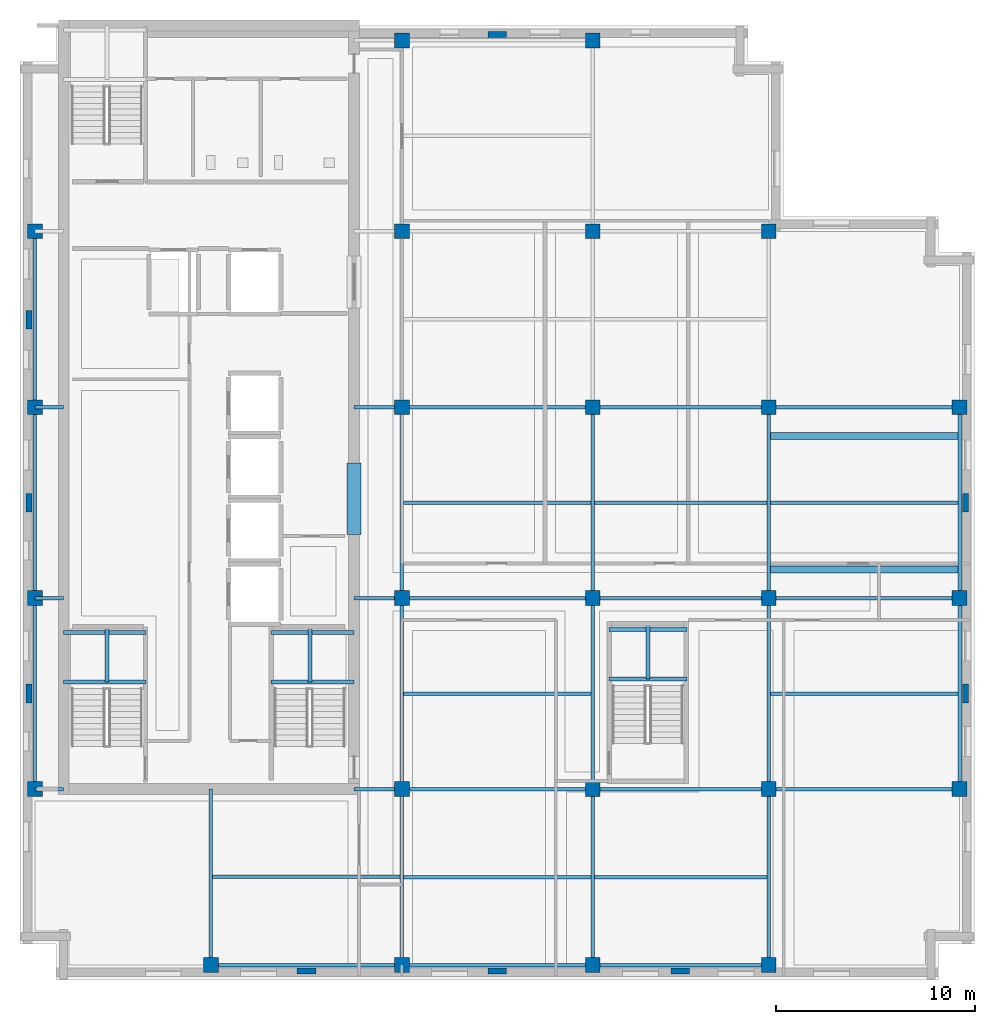
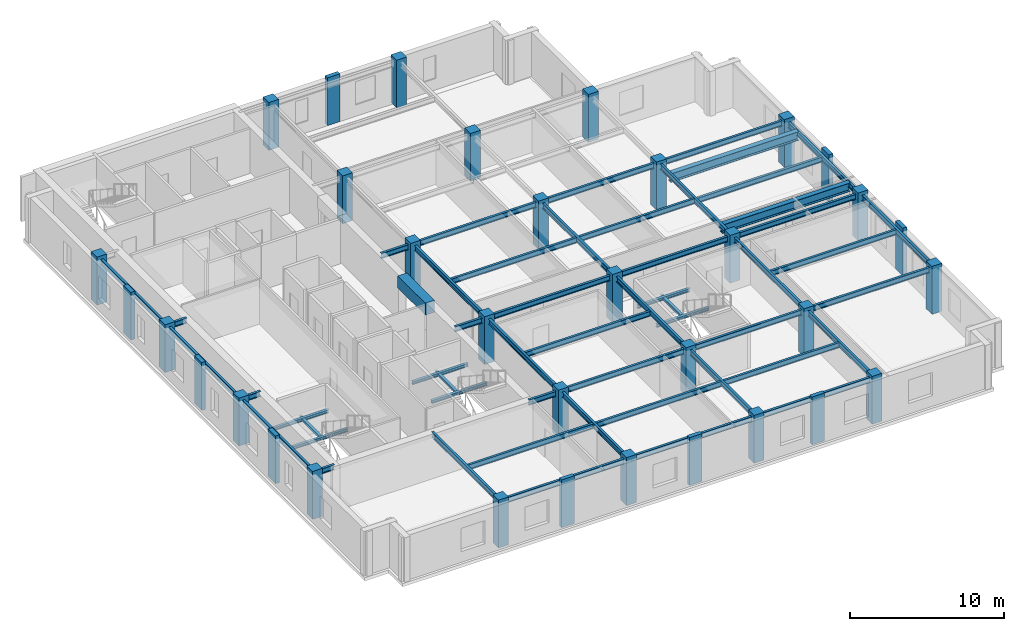
# One storey, part 1 of 10: 53 beams, 34 columns.
"""IFC4 building model written with IfcOpenShell, lengths in metres."""

from ifc_helpers import new_model, si_unit, direction, frame, origin, origin_2d, place, context, subcontext, project, spatial, rectangle, i_section, extrude, material, material_profile, profile_set, type_object, element, save


model = new_model("IFC4")

# Units and contexts
model_context = context("Model", 3, precision=1e-05, world=origin(), true_north=direction((0.0, 1.0)))
body_context = subcontext(model_context, "Body", "Model", "MODEL_VIEW")
ifc_project = project(units=[si_unit("LENGTHUNIT", "METRE"), si_unit("AREAUNIT", "SQUARE_METRE"), si_unit("VOLUMEUNIT", "CUBIC_METRE"), si_unit("PLANEANGLEUNIT", "RADIAN"), si_unit("MASSUNIT", "GRAM", prefix="KILO")], contexts=[model_context])

# Site, building, storey
site_placement = place(None, origin())
site = spatial("IfcSite", under=ifc_project, at=site_placement, CompositionType="ELEMENT")
building_placement = place(site_placement, origin())
building = spatial("IfcBuilding", under=site, at=building_placement, Name="Norrvale University Quadrangle", CompositionType="ELEMENT")
storey_placement = place(building_placement, frame((0.0, 0.0, 273.39990234375)))
storey = spatial("IfcBuildingStorey", under=building, at=storey_placement, Name="L69", CompositionType="ELEMENT", Elevation=273.39990234375)

# Columns
ifc_material_1 = material(Name="Red Manganese Brick Concrete C60/75", Category="concrete")
ifc_material_profile_1 = material_profile(ifc_material_1, rectangle(XDim=0.949951171875, YDim=0.300048828125, at=origin_2d()), Name="Red Manganese Brick Concrete C60/75")
ifc_profile_set_1 = profile_set([ifc_material_profile_1], Name="Red Manganese Brick Concrete C60/75")
column_type_1 = type_object("IfcColumnType", Name="Column Brick Pier 950x300", PredefinedType="PILASTER", material=ifc_profile_set_1)
for number, where, z_axis, x_axis, name in (
    (1, (0.449951171875, 14.39990234375, 0.0), (0.0, 0.0, 1.0), (0.0, 1.0, 0.0), "Exterior Brick Facade Pilaster L69-01"),
    (2, (0.449951171875, 24.0, 0.0), (0.0, 0.0, 1.0), (0.0, 1.0, 0.0), "Exterior Brick Facade Pilaster L69-02"),
    (3, (0.449951171875, 33.199951171875, 0.0), (0.0, 0.0, 1.0), (0.0, 1.0, 0.0), "Exterior Brick Facade Pilaster L69-03"),
    (4, (14.39990234375, 0.449951171875, 0.0), (0.0, 0.0, 1.0), (1.0, 0.0, 0.0), "Exterior Brick Facade Pilaster L69-04"),
    (5, (24.0, 0.449951171875, 0.0), (0.0, 0.0, 1.0), (1.0, 0.0, 0.0), "Exterior Brick Facade Pilaster L69-05"),
    (6, (33.199951171875, 0.449951171875, 0.0), (0.0, 0.0, 1.0), (1.0, 0.0, 0.0), "Exterior Brick Facade Pilaster L69-06"),
    (7, (47.550048828125, 14.39990234375, 0.0), (0.0, 0.0, 1.0), (0.0, 1.0, 0.0), "Exterior Brick Facade Pilaster L69-07"),
    (8, (47.550048828125, 24.0, 0.0), (0.0, 0.0, 1.0), (0.0, 1.0, 0.0), "Exterior Brick Facade Pilaster L69-08"),
    (9, (24.0, 47.550048828125, 0.0), (0.0, 0.0, 1.0), (1.0, 0.0, 0.0), "Exterior Brick Facade Pilaster L69-09"),
):
    element("IfcColumn", number, at=place(storey_placement, frame(where, z_axis=z_axis, x_axis=x_axis)), inside=storey, type_object=column_type_1, Name=name, PredefinedType="PILASTER", context=body_context, shape_type="SweptSolid", body=[
        extrude(rectangle(XDim=0.949951171875, YDim=0.300048828125, at=origin_2d()), origin(), (0.0, 0.0, 1.0), 3.800048828125),
    ])
ifc_material_2 = material(Name="Concrete C60/75", Category="concrete")
ifc_material_profile_2 = material_profile(ifc_material_2, rectangle(XDim=0.75, YDim=0.75, at=origin_2d()), Name="Concrete C60/75")
ifc_profile_set_2 = profile_set([ifc_material_profile_2], Name="Concrete C60/75")
column_type_2 = type_object("IfcColumnType", Name="Column Tower Z4 750x750", PredefinedType="COLUMN", material=ifc_profile_set_2)
for number, where, z_axis, x_axis, name in (
    (10, (0.75, 9.60009765625, 0.0), (0.0, 0.0, 1.0), (1.0, 0.0, 0.0), "Tower Column L69-T01"),
    (11, (0.75, 19.199951171875, 0.0), (0.0, 0.0, 1.0), (1.0, 0.0, 0.0), "Tower Column L69-T02"),
    (12, (0.75, 28.800048828125, 0.0), (0.0, 0.0, 1.0), (1.0, 0.0, 0.0), "Tower Column L69-T03"),
    (13, (0.75, 37.64990234375, 0.0), (0.0, 0.0, 1.0), (1.0, 0.0, 0.0), "Tower Column L69-T04"),
    (14, (9.60009765625, 0.75, 0.0), (0.0, 0.0, 1.0), (1.0, 0.0, 0.0), "Tower Column L69-T05"),
    (15, (19.199951171875, 0.75, 0.0), (0.0, 0.0, 1.0), (1.0, 0.0, 0.0), "Tower Column L69-T06"),
    (16, (19.199951171875, 9.60009765625, 0.0), (0.0, 0.0, 1.0), (1.0, 0.0, 0.0), "Tower Column L69-T07"),
    (17, (19.199951171875, 19.199951171875, 0.0), (0.0, 0.0, 1.0), (1.0, 0.0, 0.0), "Tower Column L69-T08"),
    (18, (19.199951171875, 28.800048828125, 0.0), (0.0, 0.0, 1.0), (1.0, 0.0, 0.0), "Tower Column L69-T09"),
    (19, (19.199951171875, 37.64990234375, 0.0), (0.0, 0.0, 1.0), (1.0, 0.0, 0.0), "Tower Column L69-T10"),
    (20, (19.199951171875, 47.25, 0.0), (0.0, 0.0, 1.0), (1.0, 0.0, 0.0), "Tower Column L69-T11"),
    (21, (28.800048828125, 0.75, 0.0), (0.0, 0.0, 1.0), (1.0, 0.0, 0.0), "Tower Column L69-T12"),
    (22, (28.800048828125, 9.60009765625, 0.0), (0.0, 0.0, 1.0), (1.0, 0.0, 0.0), "Tower Column L69-T13"),
    (23, (28.800048828125, 19.199951171875, 0.0), (0.0, 0.0, 1.0), (1.0, 0.0, 0.0), "Tower Column L69-T14"),
    (24, (28.800048828125, 28.800048828125, 0.0), (0.0, 0.0, 1.0), (1.0, 0.0, 0.0), "Tower Column L69-T15"),
    (25, (28.800048828125, 37.64990234375, 0.0), (0.0, 0.0, 1.0), (1.0, 0.0, 0.0), "Tower Column L69-T16"),
    (26, (28.800048828125, 47.25, 0.0), (0.0, 0.0, 1.0), (1.0, 0.0, 0.0), "Tower Column L69-T17"),
    (27, (37.64990234375, 0.75, 0.0), (0.0, 0.0, 1.0), (1.0, 0.0, 0.0), "Tower Column L69-T18"),
    (28, (37.64990234375, 9.60009765625, 0.0), (0.0, 0.0, 1.0), (1.0, 0.0, 0.0), "Tower Column L69-T19"),
    (29, (37.64990234375, 19.199951171875, 0.0), (0.0, 0.0, 1.0), (1.0, 0.0, 0.0), "Tower Column L69-T20"),
    (30, (37.64990234375, 28.800048828125, 0.0), (0.0, 0.0, 1.0), (1.0, 0.0, 0.0), "Tower Column L69-T21"),
    (31, (37.64990234375, 37.64990234375, 0.0), (0.0, 0.0, 1.0), (1.0, 0.0, 0.0), "Tower Column L69-T22"),
    (32, (47.25, 9.60009765625, 0.0), (0.0, 0.0, 1.0), (1.0, 0.0, 0.0), "Tower Column L69-T23"),
    (33, (47.25, 19.199951171875, 0.0), (0.0, 0.0, 1.0), (1.0, 0.0, 0.0), "Tower Column L69-T24"),
    (34, (47.25, 28.800048828125, 0.0), (0.0, 0.0, 1.0), (1.0, 0.0, 0.0), "Tower Column L69-T25"),
):
    element("IfcColumn", number, at=place(storey_placement, frame(where, z_axis=z_axis, x_axis=x_axis)), inside=storey, type_object=column_type_2, Name=name, PredefinedType="COLUMN", context=body_context, shape_type="SweptSolid", body=[
        extrude(rectangle(XDim=0.75, YDim=0.75, at=origin_2d()), origin(), (0.0, 0.0, 1.0), 3.800048828125),
    ])

# Beams
ifc_material_3 = material(Name="Steel 350W", Category="steel")
ifc_material_profile_3 = material_profile(ifc_material_3, i_section(OverallWidth=0.180908203125, OverallDepth=0.4169921875, WebThickness=0.010986328125, FlangeThickness=0.018310546875, FilletRadius=0.011962890625, at=origin_2d()), Name="Steel 350W")
ifc_profile_set_3 = profile_set([ifc_material_profile_3], Name="Steel 350W")
beam_type_1 = type_object("IfcBeamType", Name="Beam Atrium W410x85", PredefinedType="BEAM", material=ifc_profile_set_3)
beam_1_placement = place(storey_placement, frame((9.60009765625, 0.75, 3.33154296875), z_axis=(1.0, 0.0, 0.0), x_axis=(0.0, 1.0, 0.0)))
element("IfcBeam", 35, at=beam_1_placement, inside=storey, type_object=beam_type_1, Name="Beam Atrium W410x85 BM-L69-GX001", PredefinedType="BEAM", context=body_context, shape_type="SweptSolid", body=[
    extrude(i_section(OverallWidth=0.180908203125, OverallDepth=0.4169921875, WebThickness=0.010986328125, FlangeThickness=0.018310546875, FilletRadius=0.011962890625, at=origin_2d()), origin(), (0.0, 0.0, 1.0), 9.599853515625),
])
beam_2_placement = place(storey_placement, frame((19.199951171875, 0.75, 3.33154296875), z_axis=(1.0, 0.0, 0.0), x_axis=(0.0, 1.0, 0.0)))
element("IfcBeam", 36, at=beam_2_placement, inside=storey, type_object=beam_type_1, Name="Beam Atrium W410x85 BM-L69-GX002", PredefinedType="BEAM", context=body_context, shape_type="SweptSolid", body=[
    extrude(i_section(OverallWidth=0.180908203125, OverallDepth=0.4169921875, WebThickness=0.010986328125, FlangeThickness=0.018310546875, FilletRadius=0.011962890625, at=origin_2d()), origin(), (0.0, 0.0, 1.0), 9.60009765625),
])
beam_3_placement = place(storey_placement, frame((28.800048828125, 0.75, 3.33154296875), z_axis=(1.0, 0.0, 0.0), x_axis=(0.0, 1.0, 0.0)))
element("IfcBeam", 37, at=beam_3_placement, inside=storey, type_object=beam_type_1, Name="Beam Atrium W410x85 BM-L69-GX003", PredefinedType="BEAM", context=body_context, shape_type="SweptSolid", body=[
    extrude(i_section(OverallWidth=0.180908203125, OverallDepth=0.4169921875, WebThickness=0.010986328125, FlangeThickness=0.018310546875, FilletRadius=0.011962890625, at=origin_2d()), origin(), (0.0, 0.0, 1.0), 8.849853515625),
])
beam_4_placement = place(storey_placement, frame((19.199951171875, 9.60009765625, 3.33154296875), z_axis=(1.0, 0.0, 0.0), x_axis=(0.0, 1.0, 0.0)))
element("IfcBeam", 38, at=beam_4_placement, inside=storey, type_object=beam_type_1, Name="Beam Atrium W410x85 BM-L69-GX004", PredefinedType="BEAM", context=body_context, shape_type="SweptSolid", body=[
    extrude(i_section(OverallWidth=0.180908203125, OverallDepth=0.4169921875, WebThickness=0.010986328125, FlangeThickness=0.018310546875, FilletRadius=0.011962890625, at=origin_2d()), origin(), (0.0, 0.0, 1.0), 9.60009765625),
])
beam_5_placement = place(storey_placement, frame((28.800048828125, 9.60009765625, 3.33154296875), z_axis=(1.0, 0.0, 0.0), x_axis=(0.0, 1.0, 0.0)))
element("IfcBeam", 39, at=beam_5_placement, inside=storey, type_object=beam_type_1, Name="Beam Atrium W410x85 BM-L69-GX005", PredefinedType="BEAM", context=body_context, shape_type="SweptSolid", body=[
    extrude(i_section(OverallWidth=0.180908203125, OverallDepth=0.4169921875, WebThickness=0.010986328125, FlangeThickness=0.018310546875, FilletRadius=0.011962890625, at=origin_2d()), origin(), (0.0, 0.0, 1.0), 8.849853515625),
])
for number, where, z_axis, x_axis, name in (
    (40, (37.64990234375, 9.60009765625, 3.33154296875), (1.0, 0.0, 0.0), (0.0, 1.0, 0.0), "Beam Atrium W410x85 BM-L69-GX006"),
    (41, (19.199951171875, 19.199951171875, 3.33154296875), (1.0, 0.0, 0.0), (0.0, 1.0, 0.0), "Beam Atrium W410x85 BM-L69-GX007"),
):
    element("IfcBeam", number, at=place(storey_placement, frame(where, z_axis=z_axis, x_axis=x_axis)), inside=storey, type_object=beam_type_1, Name=name, PredefinedType="BEAM", context=body_context, shape_type="SweptSolid", body=[
        extrude(i_section(OverallWidth=0.180908203125, OverallDepth=0.4169921875, WebThickness=0.010986328125, FlangeThickness=0.018310546875, FilletRadius=0.011962890625, at=origin_2d()), origin(), (0.0, 0.0, 1.0), 9.60009765625),
    ])
beam_6_placement = place(storey_placement, frame((28.800048828125, 19.199951171875, 3.33154296875), z_axis=(1.0, 0.0, 0.0), x_axis=(0.0, 1.0, 0.0)))
element("IfcBeam", 42, at=beam_6_placement, inside=storey, type_object=beam_type_1, Name="Beam Atrium W410x85 BM-L69-GX008", PredefinedType="BEAM", context=body_context, shape_type="SweptSolid", body=[
    extrude(i_section(OverallWidth=0.180908203125, OverallDepth=0.4169921875, WebThickness=0.010986328125, FlangeThickness=0.018310546875, FilletRadius=0.011962890625, at=origin_2d()), origin(), (0.0, 0.0, 1.0), 8.849853515625),
])
for number, where, z_axis, x_axis, name in (
    (43, (37.64990234375, 19.199951171875, 3.33154296875), (1.0, 0.0, 0.0), (0.0, 1.0, 0.0), "Beam Atrium W410x85 BM-L69-GX009"),
    (44, (19.199951171875, 28.800048828125, 3.33154296875), (1.0, 0.0, 0.0), (0.0, 1.0, 0.0), "Beam Atrium W410x85 BM-L69-GX010"),
):
    element("IfcBeam", number, at=place(storey_placement, frame(where, z_axis=z_axis, x_axis=x_axis)), inside=storey, type_object=beam_type_1, Name=name, PredefinedType="BEAM", context=body_context, shape_type="SweptSolid", body=[
        extrude(i_section(OverallWidth=0.180908203125, OverallDepth=0.4169921875, WebThickness=0.010986328125, FlangeThickness=0.018310546875, FilletRadius=0.011962890625, at=origin_2d()), origin(), (0.0, 0.0, 1.0), 9.60009765625),
    ])
beam_7_placement = place(storey_placement, frame((28.800048828125, 28.800048828125, 3.33154296875), z_axis=(1.0, 0.0, 0.0), x_axis=(0.0, 1.0, 0.0)))
element("IfcBeam", 45, at=beam_7_placement, inside=storey, type_object=beam_type_1, Name="Beam Atrium W410x85 BM-L69-GX011", PredefinedType="BEAM", context=body_context, shape_type="SweptSolid", body=[
    extrude(i_section(OverallWidth=0.180908203125, OverallDepth=0.4169921875, WebThickness=0.010986328125, FlangeThickness=0.018310546875, FilletRadius=0.011962890625, at=origin_2d()), origin(), (0.0, 0.0, 1.0), 8.849853515625),
])
beam_8_placement = place(storey_placement, frame((37.64990234375, 28.800048828125, 3.33154296875), z_axis=(1.0, 0.0, 0.0), x_axis=(0.0, 1.0, 0.0)))
element("IfcBeam", 46, at=beam_8_placement, inside=storey, type_object=beam_type_1, Name="Beam Atrium W410x85 BM-L69-GX012", PredefinedType="BEAM", context=body_context, shape_type="SweptSolid", body=[
    extrude(i_section(OverallWidth=0.180908203125, OverallDepth=0.4169921875, WebThickness=0.010986328125, FlangeThickness=0.018310546875, FilletRadius=0.011962890625, at=origin_2d()), origin(), (0.0, 0.0, 1.0), 9.60009765625),
])
beam_9_placement = place(storey_placement, frame((0.75, 9.60009765625, 3.33154296875), z_axis=(0.0, 1.0, 0.0), x_axis=(-1.0, 0.0, 0.0)))
element("IfcBeam", 47, at=beam_9_placement, inside=storey, type_object=beam_type_1, Name="Beam Atrium W410x85 BM-L69-GY016", PredefinedType="BEAM", context=body_context, shape_type="SweptSolid", body=[
    extrude(i_section(OverallWidth=0.180908203125, OverallDepth=0.4169921875, WebThickness=0.010986328125, FlangeThickness=0.018310546875, FilletRadius=0.011962890625, at=origin_2d()), origin(), (0.0, 0.0, 1.0), 9.599853515625),
])
beam_10_placement = place(storey_placement, frame((0.75, 19.199951171875, 3.33154296875), z_axis=(0.0, 1.0, 0.0), x_axis=(-1.0, 0.0, 0.0)))
element("IfcBeam", 48, at=beam_10_placement, inside=storey, type_object=beam_type_1, Name="Beam Atrium W410x85 BM-L69-GY017", PredefinedType="BEAM", context=body_context, shape_type="SweptSolid", body=[
    extrude(i_section(OverallWidth=0.180908203125, OverallDepth=0.4169921875, WebThickness=0.010986328125, FlangeThickness=0.018310546875, FilletRadius=0.011962890625, at=origin_2d()), origin(), (0.0, 0.0, 1.0), 9.60009765625),
])
beam_11_placement = place(storey_placement, frame((0.75, 28.800048828125, 3.33154296875), z_axis=(0.0, 1.0, 0.0), x_axis=(-1.0, 0.0, 0.0)))
element("IfcBeam", 49, at=beam_11_placement, inside=storey, type_object=beam_type_1, Name="Beam Atrium W410x85 BM-L69-GY018", PredefinedType="BEAM", context=body_context, shape_type="SweptSolid", body=[
    extrude(i_section(OverallWidth=0.180908203125, OverallDepth=0.4169921875, WebThickness=0.010986328125, FlangeThickness=0.018310546875, FilletRadius=0.011962890625, at=origin_2d()), origin(), (0.0, 0.0, 1.0), 8.849853515625),
])
beam_12_placement = place(storey_placement, frame((19.199951171875, 0.75, 3.33154296875), z_axis=(0.0, 1.0, 0.0), x_axis=(-1.0, 0.0, 0.0)))
element("IfcBeam", 50, at=beam_12_placement, inside=storey, type_object=beam_type_1, Name="Beam Atrium W410x85 BM-L69-GY019", PredefinedType="BEAM", context=body_context, shape_type="SweptSolid", body=[
    extrude(i_section(OverallWidth=0.180908203125, OverallDepth=0.4169921875, WebThickness=0.010986328125, FlangeThickness=0.018310546875, FilletRadius=0.011962890625, at=origin_2d()), origin(), (0.0, 0.0, 1.0), 8.85009765625),
])
beam_13_placement = place(storey_placement, frame((19.199951171875, 9.60009765625, 3.33154296875), z_axis=(0.0, 1.0, 0.0), x_axis=(-1.0, 0.0, 0.0)))
element("IfcBeam", 51, at=beam_13_placement, inside=storey, type_object=beam_type_1, Name="Beam Atrium W410x85 BM-L69-GY020", PredefinedType="BEAM", context=body_context, shape_type="SweptSolid", body=[
    extrude(i_section(OverallWidth=0.180908203125, OverallDepth=0.4169921875, WebThickness=0.010986328125, FlangeThickness=0.018310546875, FilletRadius=0.011962890625, at=origin_2d()), origin(), (0.0, 0.0, 1.0), 9.599853515625),
])
beam_14_placement = place(storey_placement, frame((19.199951171875, 19.199951171875, 3.33154296875), z_axis=(0.0, 1.0, 0.0), x_axis=(-1.0, 0.0, 0.0)))
element("IfcBeam", 52, at=beam_14_placement, inside=storey, type_object=beam_type_1, Name="Beam Atrium W410x85 BM-L69-GY021", PredefinedType="BEAM", context=body_context, shape_type="SweptSolid", body=[
    extrude(i_section(OverallWidth=0.180908203125, OverallDepth=0.4169921875, WebThickness=0.010986328125, FlangeThickness=0.018310546875, FilletRadius=0.011962890625, at=origin_2d()), origin(), (0.0, 0.0, 1.0), 9.60009765625),
])
beam_15_placement = place(storey_placement, frame((28.800048828125, 0.75, 3.33154296875), z_axis=(0.0, 1.0, 0.0), x_axis=(-1.0, 0.0, 0.0)))
element("IfcBeam", 53, at=beam_15_placement, inside=storey, type_object=beam_type_1, Name="Beam Atrium W410x85 BM-L69-GY024", PredefinedType="BEAM", context=body_context, shape_type="SweptSolid", body=[
    extrude(i_section(OverallWidth=0.180908203125, OverallDepth=0.4169921875, WebThickness=0.010986328125, FlangeThickness=0.018310546875, FilletRadius=0.011962890625, at=origin_2d()), origin(), (0.0, 0.0, 1.0), 8.85009765625),
])
beam_16_placement = place(storey_placement, frame((28.800048828125, 9.60009765625, 3.33154296875), z_axis=(0.0, 1.0, 0.0), x_axis=(-1.0, 0.0, 0.0)))
element("IfcBeam", 54, at=beam_16_placement, inside=storey, type_object=beam_type_1, Name="Beam Atrium W410x85 BM-L69-GY025", PredefinedType="BEAM", context=body_context, shape_type="SweptSolid", body=[
    extrude(i_section(OverallWidth=0.180908203125, OverallDepth=0.4169921875, WebThickness=0.010986328125, FlangeThickness=0.018310546875, FilletRadius=0.011962890625, at=origin_2d()), origin(), (0.0, 0.0, 1.0), 9.599853515625),
])
beam_17_placement = place(storey_placement, frame((28.800048828125, 19.199951171875, 3.33154296875), z_axis=(0.0, 1.0, 0.0), x_axis=(-1.0, 0.0, 0.0)))
element("IfcBeam", 55, at=beam_17_placement, inside=storey, type_object=beam_type_1, Name="Beam Atrium W410x85 BM-L69-GY026", PredefinedType="BEAM", context=body_context, shape_type="SweptSolid", body=[
    extrude(i_section(OverallWidth=0.180908203125, OverallDepth=0.4169921875, WebThickness=0.010986328125, FlangeThickness=0.018310546875, FilletRadius=0.011962890625, at=origin_2d()), origin(), (0.0, 0.0, 1.0), 9.60009765625),
])
beam_18_placement = place(storey_placement, frame((37.64990234375, 0.75, 3.33154296875), z_axis=(0.0, 1.0, 0.0), x_axis=(-1.0, 0.0, 0.0)))
element("IfcBeam", 56, at=beam_18_placement, inside=storey, type_object=beam_type_1, Name="Beam Atrium W410x85 BM-L69-GY029", PredefinedType="BEAM", context=body_context, shape_type="SweptSolid", body=[
    extrude(i_section(OverallWidth=0.180908203125, OverallDepth=0.4169921875, WebThickness=0.010986328125, FlangeThickness=0.018310546875, FilletRadius=0.011962890625, at=origin_2d()), origin(), (0.0, 0.0, 1.0), 8.85009765625),
])
beam_19_placement = place(storey_placement, frame((37.64990234375, 9.60009765625, 3.33154296875), z_axis=(0.0, 1.0, 0.0), x_axis=(-1.0, 0.0, 0.0)))
element("IfcBeam", 57, at=beam_19_placement, inside=storey, type_object=beam_type_1, Name="Beam Atrium W410x85 BM-L69-GY030", PredefinedType="BEAM", context=body_context, shape_type="SweptSolid", body=[
    extrude(i_section(OverallWidth=0.180908203125, OverallDepth=0.4169921875, WebThickness=0.010986328125, FlangeThickness=0.018310546875, FilletRadius=0.011962890625, at=origin_2d()), origin(), (0.0, 0.0, 1.0), 9.599853515625),
])
beam_20_placement = place(storey_placement, frame((37.64990234375, 19.199951171875, 3.33154296875), z_axis=(0.0, 1.0, 0.0), x_axis=(-1.0, 0.0, 0.0)))
element("IfcBeam", 58, at=beam_20_placement, inside=storey, type_object=beam_type_1, Name="Beam Atrium W410x85 BM-L69-GY031", PredefinedType="BEAM", context=body_context, shape_type="SweptSolid", body=[
    extrude(i_section(OverallWidth=0.180908203125, OverallDepth=0.4169921875, WebThickness=0.010986328125, FlangeThickness=0.018310546875, FilletRadius=0.011962890625, at=origin_2d()), origin(), (0.0, 0.0, 1.0), 9.60009765625),
])
beam_21_placement = place(storey_placement, frame((47.25, 9.60009765625, 3.33154296875), z_axis=(0.0, 1.0, 0.0), x_axis=(-1.0, 0.0, 0.0)))
element("IfcBeam", 59, at=beam_21_placement, inside=storey, type_object=beam_type_1, Name="Beam Atrium W410x85 BM-L69-GY033", PredefinedType="BEAM", context=body_context, shape_type="SweptSolid", body=[
    extrude(i_section(OverallWidth=0.180908203125, OverallDepth=0.4169921875, WebThickness=0.010986328125, FlangeThickness=0.018310546875, FilletRadius=0.011962890625, at=origin_2d()), origin(), (0.0, 0.0, 1.0), 9.599853515625),
])
beam_22_placement = place(storey_placement, frame((47.25, 19.199951171875, 3.29150390625), z_axis=(0.0, 1.0, 0.0), x_axis=(-1.0, 0.0, 0.0)))
element("IfcBeam", 60, at=beam_22_placement, inside=storey, type_object=beam_type_1, Name="Beam Atrium W410x85 BM-L69-GY034", PredefinedType="BEAM", context=body_context, shape_type="SweptSolid", body=[
    extrude(i_section(OverallWidth=0.180908203125, OverallDepth=0.4169921875, WebThickness=0.010986328125, FlangeThickness=0.018310546875, FilletRadius=0.011962890625, at=origin_2d()), origin(), (0.0, 0.0, 1.0), 9.60009765625),
])
beam_23_placement = place(storey_placement, frame((0.75, 9.60009765625, 3.33154296875), z_axis=(1.0, 0.0, 0.0), x_axis=(0.0, 1.0, 0.0)))
element("IfcBeam", 61, at=beam_23_placement, inside=storey, type_object=beam_type_1, Name="Beam Atrium W410x85 BM-L69-GCW035", PredefinedType="BEAM", context=body_context, shape_type="SweptSolid", body=[
    extrude(i_section(OverallWidth=0.180908203125, OverallDepth=0.4169921875, WebThickness=0.010986328125, FlangeThickness=0.018310546875, FilletRadius=0.011962890625, at=origin_2d()), origin(), (0.0, 0.0, 1.0), 1.449951171875),
])
beam_24_placement = place(storey_placement, frame((16.800048828125, 9.60009765625, 3.33154296875), z_axis=(1.0, 0.0, 0.0), x_axis=(0.0, 1.0, 0.0)))
element("IfcBeam", 62, at=beam_24_placement, inside=storey, type_object=beam_type_1, Name="Beam Atrium W410x85 BM-L69-GCE036", PredefinedType="BEAM", context=body_context, shape_type="SweptSolid", body=[
    extrude(i_section(OverallWidth=0.180908203125, OverallDepth=0.4169921875, WebThickness=0.010986328125, FlangeThickness=0.018310546875, FilletRadius=0.011962890625, at=origin_2d()), origin(), (0.0, 0.0, 1.0), 2.39990234375),
])
beam_25_placement = place(storey_placement, frame((0.75, 19.199951171875, 3.33154296875), z_axis=(1.0, 0.0, 0.0), x_axis=(0.0, 1.0, 0.0)))
element("IfcBeam", 63, at=beam_25_placement, inside=storey, type_object=beam_type_1, Name="Beam Atrium W410x85 BM-L69-GCW037", PredefinedType="BEAM", context=body_context, shape_type="SweptSolid", body=[
    extrude(i_section(OverallWidth=0.180908203125, OverallDepth=0.4169921875, WebThickness=0.010986328125, FlangeThickness=0.018310546875, FilletRadius=0.011962890625, at=origin_2d()), origin(), (0.0, 0.0, 1.0), 1.449951171875),
])
beam_26_placement = place(storey_placement, frame((16.800048828125, 19.199951171875, 3.33154296875), z_axis=(1.0, 0.0, 0.0), x_axis=(0.0, 1.0, 0.0)))
element("IfcBeam", 64, at=beam_26_placement, inside=storey, type_object=beam_type_1, Name="Beam Atrium W410x85 BM-L69-GCE038", PredefinedType="BEAM", context=body_context, shape_type="SweptSolid", body=[
    extrude(i_section(OverallWidth=0.180908203125, OverallDepth=0.4169921875, WebThickness=0.010986328125, FlangeThickness=0.018310546875, FilletRadius=0.011962890625, at=origin_2d()), origin(), (0.0, 0.0, 1.0), 2.39990234375),
])
beam_27_placement = place(storey_placement, frame((0.75, 28.800048828125, 3.33154296875), z_axis=(1.0, 0.0, 0.0), x_axis=(0.0, 1.0, 0.0)))
element("IfcBeam", 65, at=beam_27_placement, inside=storey, type_object=beam_type_1, Name="Beam Atrium W410x85 BM-L69-GCW039", PredefinedType="BEAM", context=body_context, shape_type="SweptSolid", body=[
    extrude(i_section(OverallWidth=0.180908203125, OverallDepth=0.4169921875, WebThickness=0.010986328125, FlangeThickness=0.018310546875, FilletRadius=0.011962890625, at=origin_2d()), origin(), (0.0, 0.0, 1.0), 1.449951171875),
])
beam_28_placement = place(storey_placement, frame((16.800048828125, 28.800048828125, 3.33154296875), z_axis=(1.0, 0.0, 0.0), x_axis=(0.0, 1.0, 0.0)))
element("IfcBeam", 66, at=beam_28_placement, inside=storey, type_object=beam_type_1, Name="Beam Atrium W410x85 BM-L69-GCE040", PredefinedType="BEAM", context=body_context, shape_type="SweptSolid", body=[
    extrude(i_section(OverallWidth=0.180908203125, OverallDepth=0.4169921875, WebThickness=0.010986328125, FlangeThickness=0.018310546875, FilletRadius=0.011962890625, at=origin_2d()), origin(), (0.0, 0.0, 1.0), 2.39990234375),
])
beam_29_placement = place(storey_placement, frame((9.60009765625, 0.75, 3.33154296875), z_axis=(0.0, 1.0, 0.0), x_axis=(-1.0, 0.0, 0.0)))
element("IfcBeam", 67, at=beam_29_placement, inside=storey, type_object=beam_type_1, Name="Beam Atrium W410x85 BM-L69-GCS054", PredefinedType="BEAM", context=body_context, shape_type="SweptSolid", body=[
    extrude(i_section(OverallWidth=0.180908203125, OverallDepth=0.4169921875, WebThickness=0.010986328125, FlangeThickness=0.018310546875, FilletRadius=0.011962890625, at=origin_2d()), origin(), (0.0, 0.0, 1.0), 8.85009765625),
])
ifc_material_profile_4 = material_profile(ifc_material_3, i_section(OverallWidth=0.35498046875, OverallDepth=0.695068359375, WebThickness=0.015380859375, FlangeThickness=0.02490234375, FilletRadius=0.01806640625, at=origin_2d()), Name="Steel 350W")
ifc_profile_set_4 = profile_set([ifc_material_profile_4], Name="Steel 350W")
beam_type_2 = type_object("IfcBeamType", Name="Beam Belt W690x217", PredefinedType="BEAM", material=ifc_profile_set_4)
for number, where, z_axis, x_axis, name in (
    (68, (37.64990234375, 20.64990234375, 3.152587890625), (1.0, 0.0, 0.0), (0.0, 1.0, 0.0), "Sky Garden Loggia Edge Girder L70-1"),
    (69, (37.64990234375, 27.35009765625, 3.152587890625), (1.0, 0.0, 0.0), (0.0, 1.0, 0.0), "Sky Garden Loggia Edge Girder L70-2"),
):
    element("IfcBeam", number, at=place(storey_placement, frame(where, z_axis=z_axis, x_axis=x_axis)), inside=storey, type_object=beam_type_2, Name=name, PredefinedType="BEAM", context=body_context, shape_type="SweptSolid", body=[
        extrude(i_section(OverallWidth=0.35498046875, OverallDepth=0.695068359375, WebThickness=0.015380859375, FlangeThickness=0.02490234375, FilletRadius=0.01806640625, at=origin_2d()), origin(), (0.0, 0.0, 1.0), 9.60009765625),
    ])
ifc_material_4 = material(Name="Concrete C80/95", Category="concrete")
ifc_material_profile_5 = material_profile(ifc_material_4, rectangle(XDim=0.699951171875, YDim=0.949951171875, at=origin_2d()), Name="Concrete C80/95")
ifc_profile_set_5 = profile_set([ifc_material_profile_5], Name="Concrete C80/95")
beam_type_3 = type_object("IfcBeamType", Name="Beam Core Link 700x950", PredefinedType="LINTEL", material=ifc_profile_set_5)
beam_30_placement = place(storey_placement, frame((16.800048828125, 22.39990234375, 3.065185546875), z_axis=(0.0, 1.0, 0.0), x_axis=(-1.0, 0.0, 0.0)))
element("IfcBeam", 70, at=beam_30_placement, inside=storey, type_object=beam_type_3, Name="Core Coupling Lintel Beam L69-1", PredefinedType="LINTEL", context=body_context, shape_type="SweptSolid", body=[
    extrude(rectangle(XDim=0.699951171875, YDim=0.949951171875, at=origin_2d()), origin(), (0.0, 0.0, 1.0), 3.60009765625),
])
ifc_material_profile_6 = material_profile(ifc_material_3, i_section(OverallWidth=0.177978515625, OverallDepth=0.406982421875, WebThickness=0.0078125, FlangeThickness=0.0126953125, FilletRadius=0.011962890625, at=origin_2d()), Name="Steel 350W")
ifc_profile_set_6 = profile_set([ifc_material_profile_6], Name="Steel 350W")
beam_type_4 = type_object("IfcBeamType", Name="Beam Roof Purlin W410x60", PredefinedType="USERDEFINED", material=ifc_profile_set_6)
for number, where, z_axis, x_axis, name in (
    (71, (19.29052734375, 5.175048828125, 3.336669921875), (1.0, 0.0, 0.0), (0.0, 1.0, 0.0), "Beam Roof Purlin W410x60 BM-L69-J044"),
    (72, (19.29052734375, 14.39990234375, 3.336669921875), (1.0, 0.0, 0.0), (0.0, 1.0, 0.0), "Beam Roof Purlin W410x60 BM-L69-J045"),
    (73, (19.29052734375, 24.0, 3.336669921875), (1.0, 0.0, 0.0), (0.0, 1.0, 0.0), "Beam Roof Purlin W410x60 BM-L69-J046"),
):
    element("IfcBeam", number, at=place(storey_placement, frame(where, z_axis=z_axis, x_axis=x_axis)), inside=storey, type_object=beam_type_4, Name=name, ObjectType="PURLIN", PredefinedType="USERDEFINED", context=body_context, shape_type="SweptSolid", body=[
        extrude(i_section(OverallWidth=0.177978515625, OverallDepth=0.406982421875, WebThickness=0.0078125, FlangeThickness=0.0126953125, FilletRadius=0.011962890625, at=origin_2d()), origin(), (0.0, 0.0, 1.0), 9.4189453125),
    ])
for number, where, z_axis, x_axis, name in (
    (74, (28.890380859375, 5.175048828125, 3.336669921875), (1.0, 0.0, 0.0), (0.0, 1.0, 0.0), "Beam Roof Purlin W410x60 BM-L69-J049"),
    (75, (28.890380859375, 24.0, 3.336669921875), (1.0, 0.0, 0.0), (0.0, 1.0, 0.0), "Beam Roof Purlin W410x60 BM-L69-J050"),
):
    element("IfcBeam", number, at=place(storey_placement, frame(where, z_axis=z_axis, x_axis=x_axis)), inside=storey, type_object=beam_type_4, Name=name, ObjectType="PURLIN", PredefinedType="USERDEFINED", context=body_context, shape_type="SweptSolid", body=[
        extrude(i_section(OverallWidth=0.177978515625, OverallDepth=0.406982421875, WebThickness=0.0078125, FlangeThickness=0.0126953125, FilletRadius=0.011962890625, at=origin_2d()), origin(), (0.0, 0.0, 1.0), 8.669189453125),
    ])
for number, where, z_axis, x_axis, name in (
    (76, (37.740478515625, 14.39990234375, 3.336669921875), (1.0, 0.0, 0.0), (0.0, 1.0, 0.0), "Beam Roof Purlin W410x60 BM-L69-J052"),
    (77, (37.740478515625, 24.0, 3.296630859375), (1.0, 0.0, 0.0), (0.0, 1.0, 0.0), "Beam Roof Purlin W410x60 BM-L69-J053"),
):
    element("IfcBeam", number, at=place(storey_placement, frame(where, z_axis=z_axis, x_axis=x_axis)), inside=storey, type_object=beam_type_4, Name=name, ObjectType="PURLIN", PredefinedType="USERDEFINED", context=body_context, shape_type="SweptSolid", body=[
        extrude(i_section(OverallWidth=0.177978515625, OverallDepth=0.406982421875, WebThickness=0.0078125, FlangeThickness=0.0126953125, FilletRadius=0.011962890625, at=origin_2d()), origin(), (0.0, 0.0, 1.0), 9.4189453125),
    ])
beam_31_placement = place(storey_placement, frame((9.6904296875, 5.199951171875, 3.336669921875), z_axis=(1.0, 0.0, 0.0), x_axis=(0.0, 1.0, 0.0)))
element("IfcBeam", 78, at=beam_31_placement, inside=storey, type_object=beam_type_4, Name="Beam Roof Purlin W410x60 BM-L69-JCS055", ObjectType="PURLIN", PredefinedType="USERDEFINED", context=body_context, shape_type="SweptSolid", body=[
    extrude(i_section(OverallWidth=0.177978515625, OverallDepth=0.406982421875, WebThickness=0.0078125, FlangeThickness=0.0126953125, FilletRadius=0.011962890625, at=origin_2d()), origin(), (0.0, 0.0, 1.0), 9.419189453125),
])
ifc_material_profile_7 = material_profile(ifc_material_3, i_section(OverallWidth=0.201904296875, OverallDepth=0.2470703125, WebThickness=0.00732421875, FlangeThickness=0.010986328125, FilletRadius=0.011962890625, at=origin_2d()), Name="Steel 350W")
ifc_profile_set_7 = profile_set([ifc_material_profile_7], Name="Steel 350W")
beam_type_5 = type_object("IfcBeamType", Name="Beam Stair W250x49", PredefinedType="BEAM", material=ifc_profile_set_7)
for number, where, z_axis, x_axis, name in (
    (79, (2.199951171875, 14.989990234375, 1.57666015625), (1.0, 0.0, 0.0), (0.0, 1.0, 0.0), "Stair Mid-Landing Front Beam ST-01 L69"),
    (80, (2.199951171875, 17.469970703125, 1.57666015625), (1.0, 0.0, 0.0), (0.0, 1.0, 0.0), "Stair Mid-Landing Rear Beam ST-01 L69"),
):
    element("IfcBeam", number, at=place(storey_placement, frame(where, z_axis=z_axis, x_axis=x_axis)), inside=storey, type_object=beam_type_5, Name=name, PredefinedType="BEAM", context=body_context, shape_type="SweptSolid", body=[
        extrude(i_section(OverallWidth=0.201904296875, OverallDepth=0.2470703125, WebThickness=0.00732421875, FlangeThickness=0.010986328125, FilletRadius=0.011962890625, at=origin_2d()), origin(), (0.0, 0.0, 1.0), 4.14013671875),
    ])
for number, where, z_axis, x_axis, name in (
    (81, (12.610107421875, 14.989990234375, 1.57666015625), (1.0, 0.0, 0.0), (0.0, 1.0, 0.0), "Stair Mid-Landing Front Beam ST-03 L69"),
    (82, (12.610107421875, 17.469970703125, 1.57666015625), (1.0, 0.0, 0.0), (0.0, 1.0, 0.0), "Stair Mid-Landing Rear Beam ST-03 L69"),
):
    element("IfcBeam", number, at=place(storey_placement, frame(where, z_axis=z_axis, x_axis=x_axis)), inside=storey, type_object=beam_type_5, Name=name, PredefinedType="BEAM", context=body_context, shape_type="SweptSolid", body=[
        extrude(i_section(OverallWidth=0.201904296875, OverallDepth=0.2470703125, WebThickness=0.00732421875, FlangeThickness=0.010986328125, FilletRadius=0.011962890625, at=origin_2d()), origin(), (0.0, 0.0, 1.0), 4.18994140625),
    ])
for number, where, z_axis, x_axis, name in (
    (83, (29.610107421875, 15.139892578125, 1.57666015625), (1.0, 0.0, 0.0), (0.0, 1.0, 0.0), "Stair Mid-Landing Front Beam ST-04 L69"),
    (84, (29.610107421875, 17.6201171875, 1.57666015625), (1.0, 0.0, 0.0), (0.0, 1.0, 0.0), "Stair Mid-Landing Rear Beam ST-04 L69"),
):
    element("IfcBeam", number, at=place(storey_placement, frame(where, z_axis=z_axis, x_axis=x_axis)), inside=storey, type_object=beam_type_5, Name=name, PredefinedType="BEAM", context=body_context, shape_type="SweptSolid", body=[
        extrude(i_section(OverallWidth=0.201904296875, OverallDepth=0.2470703125, WebThickness=0.00732421875, FlangeThickness=0.010986328125, FilletRadius=0.011962890625, at=origin_2d()), origin(), (0.0, 0.0, 1.0), 3.929931640625),
    ])
ifc_material_profile_8 = material_profile(ifc_material_3, i_section(OverallWidth=0.202880859375, OverallDepth=0.202880859375, WebThickness=0.007080078125, FlangeThickness=0.010986328125, FilletRadius=0.010009765625, at=origin_2d()), Name="Steel 350W")
ifc_profile_set_8 = profile_set([ifc_material_profile_8], Name="Steel 350W")
beam_type_6 = type_object("IfcBeamType", Name="Beam Trim W200x46", PredefinedType="BEAM", material=ifc_profile_set_8)
for number, where, z_axis, x_axis, name in (
    (85, (4.375, 14.989990234375, 1.5986328125), (0.0, 1.0, 0.0), (-1.0, 0.0, 0.0), "Stair Mid-Landing Cross Beam ST-01 L69"),
    (86, (14.574951171875, 14.989990234375, 1.5986328125), (0.0, 1.0, 0.0), (-1.0, 0.0, 0.0), "Stair Mid-Landing Cross Beam ST-03 L69"),
    (87, (31.574951171875, 15.139892578125, 1.5986328125), (0.0, 1.0, 0.0), (-1.0, 0.0, 0.0), "Stair Mid-Landing Cross Beam ST-04 L69"),
):
    element("IfcBeam", number, at=place(storey_placement, frame(where, z_axis=z_axis, x_axis=x_axis)), inside=storey, type_object=beam_type_6, Name=name, PredefinedType="BEAM", context=body_context, shape_type="SweptSolid", body=[
        extrude(i_section(OverallWidth=0.202880859375, OverallDepth=0.202880859375, WebThickness=0.007080078125, FlangeThickness=0.010986328125, FilletRadius=0.010009765625, at=origin_2d()), origin(), (0.0, 0.0, 1.0), 2.800048828125),
    ])

save(model, "model.ifc")
